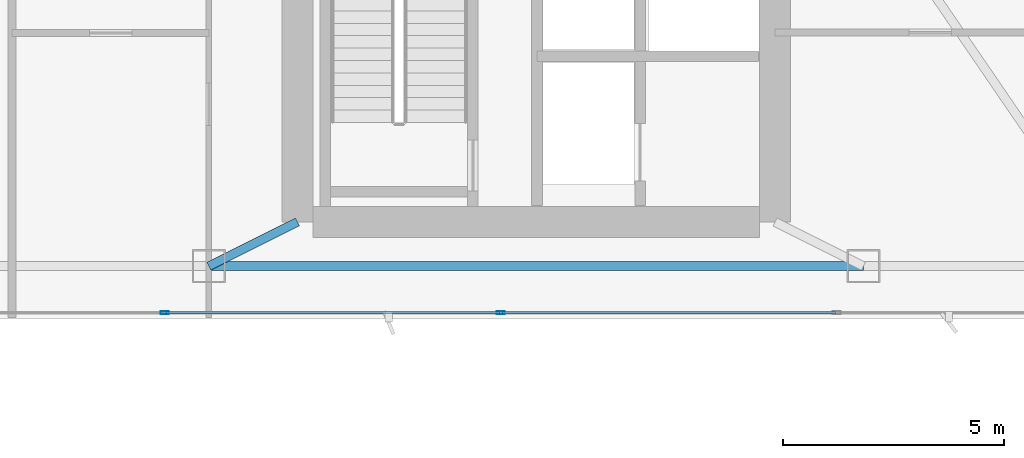
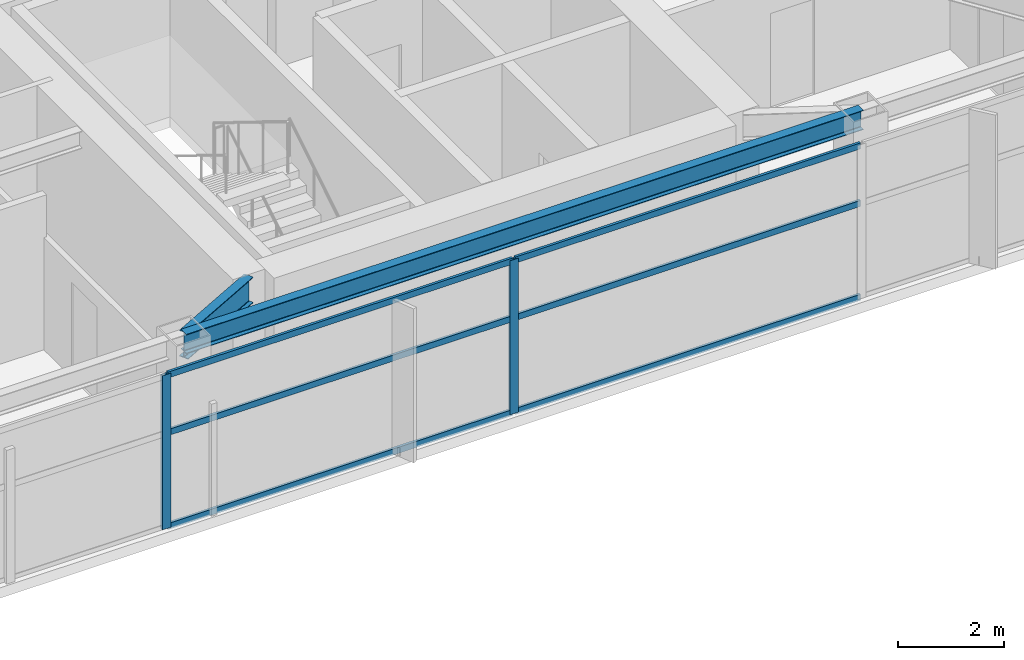
# One storey, part 6 of 30: 8 members, 2 beams, 1 element without a shape of its own.
"""IFC4 building model written with IfcOpenShell, lengths in metres."""

from ifc_helpers import new_model, si_unit, direction, frame, origin, origin_2d, place, context, subcontext, project, spatial, hollow_rectangle, i_section, extrude, material, layer, layer_set, material_profile, profile_set, type_object, element, aggregate, save


model = new_model("IFC4")

# Units and contexts
model_context = context("Model", 3, precision=1e-05, world=origin(), true_north=direction((0.0, 1.0)))
body_context = subcontext(model_context, "Body", "Model", "MODEL_VIEW")
ifc_project = project(units=[si_unit("LENGTHUNIT", "METRE"), si_unit("AREAUNIT", "SQUARE_METRE"), si_unit("VOLUMEUNIT", "CUBIC_METRE"), si_unit("PLANEANGLEUNIT", "RADIAN"), si_unit("MASSUNIT", "GRAM", prefix="KILO")], contexts=[model_context])

# Site, building, storey
site_placement = place(None, origin())
site = spatial("IfcSite", under=ifc_project, at=site_placement, CompositionType="ELEMENT")
building_placement = place(site_placement, origin())
building = spatial("IfcBuilding", under=site, at=building_placement, Name="Calvorn Quay Hotel", CompositionType="ELEMENT")
storey_placement = place(building_placement, frame((0.0, 0.0, 203.39990234375)))
storey = spatial("IfcBuildingStorey", under=building, at=storey_placement, Name="L50", CompositionType="ELEMENT", Elevation=203.39990234375)

# Beams
ifc_material_1 = material(Name="Steel Q355B", Category="steel")
ifc_material_profile_1 = material_profile(ifc_material_1, i_section(OverallWidth=0.199951171875, OverallDepth=0.60009765625, WebThickness=0.010986328125, FlangeThickness=0.01708984375, FilletRadius=0.01806640625, at=origin_2d()), Name="HN600x200x11x17")
ifc_profile_set_1 = profile_set([ifc_material_profile_1], Name="Steel Q355B")
beam_type_1 = type_object("IfcBeamType", Name="BM-GIRD-TYP", PredefinedType="BEAM", material=ifc_profile_set_1)
beam_1_placement = place(storey_placement, frame((19.60009765625, 3.60009765625, 3.239990234375), z_axis=(0.894427191, 0.4472135955, 0.0), x_axis=(-0.4472135955, 0.894427191, 0.0)))
element("IfcBeam", 1, at=beam_1_placement, inside=storey, type_object=beam_type_1, Name="Beam BG-L50-S2", PredefinedType="BEAM", context=body_context, shape_type="SweptSolid", body=[
    extrude(i_section(OverallWidth=0.199951171875, OverallDepth=0.60009765625, WebThickness=0.010986328125, FlangeThickness=0.01708984375, FilletRadius=0.01806640625, at=origin_2d()), origin(), (0.0, 0.0, 1.0), 2.236083984375),
])
ifc_material_2 = material(Name="Steel Q355B", Category="steel")
ifc_material_profile_2 = material_profile(ifc_material_2, i_section(OverallWidth=0.199951171875, OverallDepth=0.449951171875, WebThickness=0.009033203125, FlangeThickness=0.013916015625, FilletRadius=0.01611328125, at=origin_2d()), Name="HN450x200x9x14")
ifc_profile_set_2 = profile_set([ifc_material_profile_2], Name="Steel Q355B")
beam_type_2 = type_object("IfcBeamType", Name="BM-SPANDREL-Z3", PredefinedType="SPANDREL", material=ifc_profile_set_2)
beam_2_placement = place(storey_placement, frame((19.60009765625, 3.60009765625, 3.315185546875), z_axis=(1.0, 0.0, 0.0), x_axis=(0.0, 1.0, 0.0)))
element("IfcBeam", 2, at=beam_2_placement, inside=storey, type_object=beam_type_2, Name="Beam BSP-L50-S3", PredefinedType="SPANDREL", context=body_context, shape_type="SweptSolid", body=[
    extrude(i_section(OverallWidth=0.199951171875, OverallDepth=0.449951171875, WebThickness=0.009033203125, FlangeThickness=0.013916015625, FilletRadius=0.01611328125, at=origin_2d()), origin(), (0.0, 0.0, 1.0), 14.7998046875),
])

# Curtain wall, members
ifc_material_3 = material(Name="Champagne Bronze Anodised Aluminium and Low-E Glass", Category="aluminium")
ifc_layer = layer(ifc_material_3, 0.219970703125)
ifc_layer_set = layer_set([ifc_layer], Name="CW-SYS-Z3")
curtain_wall_type = type_object("IfcCurtainWallType", Name="CW-SYS-Z3", PredefinedType="NOTDEFINED", material=ifc_layer_set)
curtain_wall_placement = place(storey_placement, origin())
curtain_wall = element("IfcCurtainWall", 3, at=curtain_wall_placement, inside=storey, type_object=curtain_wall_type, Name="Tower South Waterfront Curtain Wall (L50)", PredefinedType="NOTDEFINED")
ifc_material_4 = material(Name="Champagne Bronze Anodised Aluminium 6063-T6", Category="aluminium")
ifc_material_profile_3 = material_profile(ifc_material_4, hollow_rectangle(XDim=0.068115234375, YDim=0.18505859375, WallThickness=0.00390625, at=origin_2d()), Name="ALU-M185x68x4")
ifc_profile_set_3 = profile_set([ifc_material_profile_3], Name="Champagne Bronze Anodised Aluminium 6063-T6")
member_type_1 = type_object("IfcMemberType", Name="CW-SYS-Z3-MUL", PredefinedType="MULLION", material=ifc_profile_set_3)
member_1_placement = place(storey_placement, frame((18.60009765625, 2.550048828125, 0.0), z_axis=(0.0, 0.0, 1.0), x_axis=(0.0, 1.0, 0.0)))
member_1 = element("IfcMember", 4, at=member_1_placement, type_object=member_type_1, Name="CW-L50-S mullion 2", PredefinedType="MULLION", context=body_context, shape_type="SweptSolid", body=[
    extrude(hollow_rectangle(XDim=0.068115234375, YDim=0.18505859375, WallThickness=0.00390625, at=origin_2d()), origin(), (0.0, 0.0, 1.0), 3.56005859375),
])
member_2_placement = place(storey_placement, frame((26.199951171875, 2.550048828125, 0.0), z_axis=(0.0, 0.0, 1.0), x_axis=(0.0, 1.0, 0.0)))
member_2 = element("IfcMember", 5, at=member_2_placement, type_object=member_type_1, Name="CW-L50-S mullion 3", PredefinedType="MULLION", context=body_context, shape_type="SweptSolid", body=[
    extrude(hollow_rectangle(XDim=0.068115234375, YDim=0.18505859375, WallThickness=0.00390625, at=origin_2d()), origin(), (0.0, 0.0, 1.0), 3.56005859375),
])
ifc_material_5 = material(Name="Champagne Bronze Anodised Aluminium 6063-T6", Category="aluminium")
ifc_material_profile_4 = material_profile(ifc_material_5, hollow_rectangle(XDim=0.05810546875, YDim=0.139892578125, WallThickness=0.003173828125, at=origin_2d()), Name="ALU-T140x58x3.2")
ifc_profile_set_4 = profile_set([ifc_material_profile_4], Name="Champagne Bronze Anodised Aluminium 6063-T6")
member_type_2 = type_object("IfcMemberType", Name="CW-SYS-Z3-TRN", PredefinedType="USERDEFINED", material=ifc_profile_set_4)
member_3_placement = place(storey_placement, frame((18.6298828125, 2.550048828125, 0.030029296875), z_axis=(1.0, 0.0, 0.0), x_axis=(0.0, 1.0, 0.0)))
member_3 = element("IfcMember", 6, at=member_3_placement, type_object=member_type_2, Name="CW-L50-S transom 2.1", ObjectType="TRANSOM", PredefinedType="USERDEFINED", context=body_context, shape_type="SweptSolid", body=[
    extrude(hollow_rectangle(XDim=0.05810546875, YDim=0.139892578125, WallThickness=0.003173828125, at=origin_2d()), origin(), (0.0, 0.0, 1.0), 7.5400390625),
])
member_4_placement = place(storey_placement, frame((18.6298828125, 2.550048828125, 2.2001953125), z_axis=(1.0, 0.0, 0.0), x_axis=(0.0, 1.0, 0.0)))
member_4 = element("IfcMember", 7, at=member_4_placement, type_object=member_type_2, Name="CW-L50-S transom 2.2", ObjectType="TRANSOM", PredefinedType="USERDEFINED", context=body_context, shape_type="SweptSolid", body=[
    extrude(hollow_rectangle(XDim=0.05810546875, YDim=0.139892578125, WallThickness=0.003173828125, at=origin_2d()), origin(), (0.0, 0.0, 1.0), 7.5400390625),
])
member_5_placement = place(storey_placement, frame((18.6298828125, 2.550048828125, 3.530029296875), z_axis=(1.0, 0.0, 0.0), x_axis=(0.0, 1.0, 0.0)))
member_5 = element("IfcMember", 8, at=member_5_placement, type_object=member_type_2, Name="CW-L50-S transom 2.3", ObjectType="TRANSOM", PredefinedType="USERDEFINED", context=body_context, shape_type="SweptSolid", body=[
    extrude(hollow_rectangle(XDim=0.05810546875, YDim=0.139892578125, WallThickness=0.003173828125, at=origin_2d()), origin(), (0.0, 0.0, 1.0), 7.5400390625),
])
member_6_placement = place(storey_placement, frame((26.22998046875, 2.550048828125, 0.030029296875), z_axis=(1.0, 0.0, 0.0), x_axis=(0.0, 1.0, 0.0)))
member_6 = element("IfcMember", 9, at=member_6_placement, type_object=member_type_2, Name="CW-L50-S transom 3.1", ObjectType="TRANSOM", PredefinedType="USERDEFINED", context=body_context, shape_type="SweptSolid", body=[
    extrude(hollow_rectangle(XDim=0.05810546875, YDim=0.139892578125, WallThickness=0.003173828125, at=origin_2d()), origin(), (0.0, 0.0, 1.0), 7.5400390625),
])
member_7_placement = place(storey_placement, frame((26.22998046875, 2.550048828125, 2.2001953125), z_axis=(1.0, 0.0, 0.0), x_axis=(0.0, 1.0, 0.0)))
member_7 = element("IfcMember", 10, at=member_7_placement, type_object=member_type_2, Name="CW-L50-S transom 3.2", ObjectType="TRANSOM", PredefinedType="USERDEFINED", context=body_context, shape_type="SweptSolid", body=[
    extrude(hollow_rectangle(XDim=0.05810546875, YDim=0.139892578125, WallThickness=0.003173828125, at=origin_2d()), origin(), (0.0, 0.0, 1.0), 7.5400390625),
])
member_8_placement = place(storey_placement, frame((26.22998046875, 2.550048828125, 3.530029296875), z_axis=(1.0, 0.0, 0.0), x_axis=(0.0, 1.0, 0.0)))
member_8 = element("IfcMember", 11, at=member_8_placement, type_object=member_type_2, Name="CW-L50-S transom 3.3", ObjectType="TRANSOM", PredefinedType="USERDEFINED", context=body_context, shape_type="SweptSolid", body=[
    extrude(hollow_rectangle(XDim=0.05810546875, YDim=0.139892578125, WallThickness=0.003173828125, at=origin_2d()), origin(), (0.0, 0.0, 1.0), 7.5400390625),
])
aggregate(curtain_wall, [member_1, member_2, member_3, member_4, member_5, member_6, member_7, member_8])

save(model, "model.ifc")
